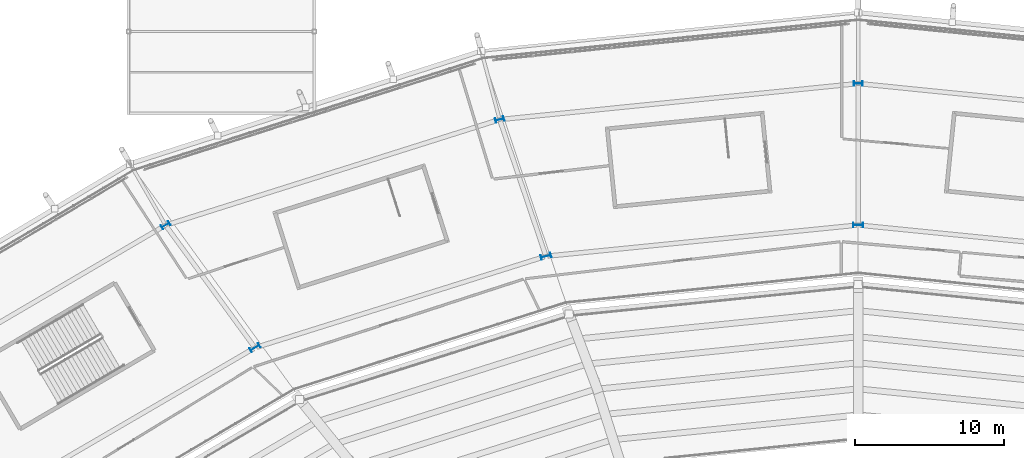
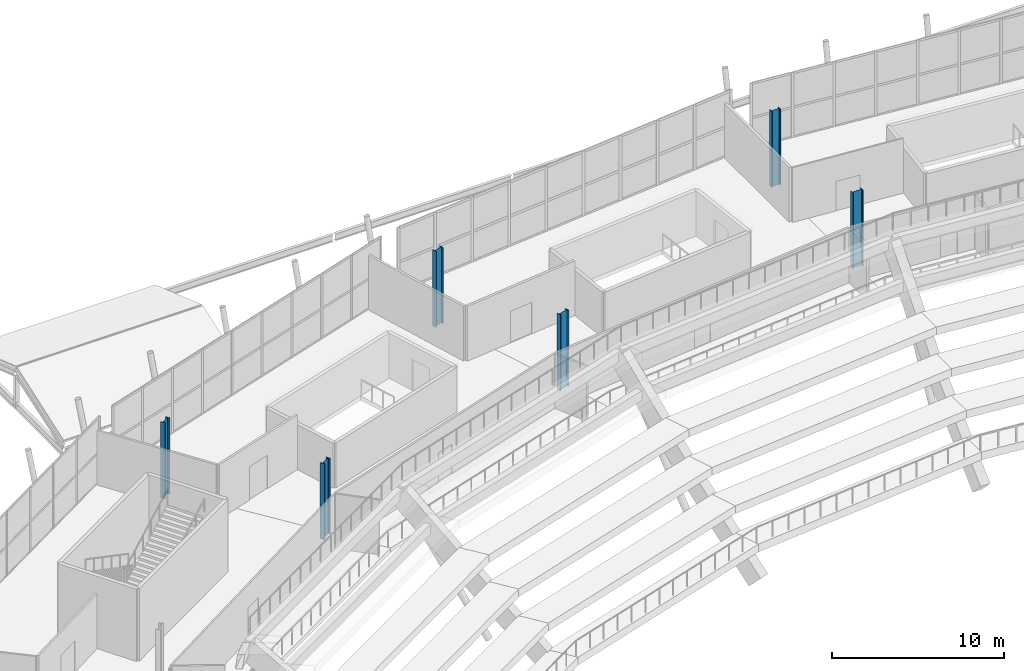
# One storey, part 10 of 126: 6 columns.
"""IFC4 building model written with IfcOpenShell, lengths in metres."""

from ifc_helpers import new_model, si_unit, direction, frame, origin, origin_2d, place, context, subcontext, project, spatial, i_section, extrude, material, material_profile, profile_set, type_object, element, save


model = new_model("IFC4")

# Units and contexts
model_context = context("Model", 3, precision=1e-05, world=origin(), true_north=direction((0.0, 1.0)))
body_context = subcontext(model_context, "Body", "Model", "MODEL_VIEW")
ifc_project = project(units=[si_unit("LENGTHUNIT", "METRE"), si_unit("AREAUNIT", "SQUARE_METRE"), si_unit("VOLUMEUNIT", "CUBIC_METRE"), si_unit("PLANEANGLEUNIT", "RADIAN"), si_unit("MASSUNIT", "GRAM", prefix="KILO")], contexts=[model_context])

# Site, building, storey
site_placement = place(None, origin())
site = spatial("IfcSite", under=ifc_project, at=site_placement, CompositionType="ELEMENT")
building_placement = place(site_placement, origin())
building = spatial("IfcBuilding", under=site, at=building_placement, Name="Zlatoyarsky Gate Stadium", CompositionType="ELEMENT")
storey_placement = place(building_placement, frame((0.0, 0.0, 20.800048828125)))
storey = spatial("IfcBuildingStorey", under=building, at=storey_placement, Name="L04", CompositionType="ELEMENT", Elevation=20.800048828125)

# Columns
ifc_material = material(Name="Steel S355", Category="steel")
ifc_material_profile_1 = material_profile(ifc_material, i_section(OverallWidth=0.300048828125, OverallDepth=0.60009765625, WebThickness=0.015380859375, FlangeThickness=0.030029296875, FilletRadius=0.027099609375, at=origin_2d()), Name="HEB 600")
ifc_profile_set_1 = profile_set([ifc_material_profile_1], Name="Steel S355")
column_type_1 = type_object("IfcColumnType", Name="STEEL COLUMN HEB 600", PredefinedType="COLUMN", material=ifc_profile_set_1)
for number, where, z_axis, x_axis, name in (
    (1, (111.0, 151.0, 0.0), (0.0, 0.0, 1.0), (0.0, 1.0, 0.0), "Column ST-C600 RC-06 on L04"),
    (2, (86.9296875, 148.580810546875, 0.0), (0.0, 0.0, 1.0), (-0.258819045103, 0.965925826289, 0.0), "Column ST-C600 RC-07 on L04"),
    (3, (64.5, 141.48779296875, 0.0), (0.0, 0.0, 1.0), (-0.5, 0.866025403784, 0.0), "Column ST-C600 RC-08 on L04"),
):
    element("IfcColumn", number, at=place(storey_placement, frame(where, z_axis=z_axis, x_axis=x_axis)), inside=storey, type_object=column_type_1, Name=name, PredefinedType="COLUMN", context=body_context, shape_type="SweptSolid", body=[
        extrude(i_section(OverallWidth=0.300048828125, OverallDepth=0.60009765625, WebThickness=0.015380859375, FlangeThickness=0.030029296875, FilletRadius=0.027099609375, at=origin_2d()), origin(), (0.0, 0.0, 1.0), 5.39990234375),
    ])
ifc_material_profile_2 = material_profile(ifc_material, i_section(OverallWidth=0.300048828125, OverallDepth=0.699951171875, WebThickness=0.01708984375, FlangeThickness=0.031982421875, FilletRadius=0.027099609375, at=origin_2d()), Name="HEB 700")
ifc_profile_set_2 = profile_set([ifc_material_profile_2], Name="Steel S355")
column_type_2 = type_object("IfcColumnType", Name="STEEL COLUMN HEB 700", PredefinedType="COLUMN", material=ifc_profile_set_2)
for number, where, z_axis, x_axis, name in (
    (4, (111.0, 141.5, 0.0), (0.0, 0.0, 1.0), (0.0, 1.0, 0.0), "Column ST-C700 RB-06 on L04"),
    (5, (90.03564453125, 139.404296875, 0.0), (0.0, 0.0, 1.0), (-0.258819045103, 0.965925826289, 0.0), "Column ST-C700 RB-07 on L04"),
    (6, (70.5, 133.260498046875, 0.0), (0.0, 0.0, 1.0), (-0.5, 0.866025403784, 0.0), "Column ST-C700 RB-08 on L04"),
):
    element("IfcColumn", number, at=place(storey_placement, frame(where, z_axis=z_axis, x_axis=x_axis)), inside=storey, type_object=column_type_2, Name=name, PredefinedType="COLUMN", context=body_context, shape_type="SweptSolid", body=[
        extrude(i_section(OverallWidth=0.300048828125, OverallDepth=0.699951171875, WebThickness=0.01708984375, FlangeThickness=0.031982421875, FilletRadius=0.027099609375, at=origin_2d()), origin(), (0.0, 0.0, 1.0), 5.39990234375),
    ])

save(model, "model.ifc")
